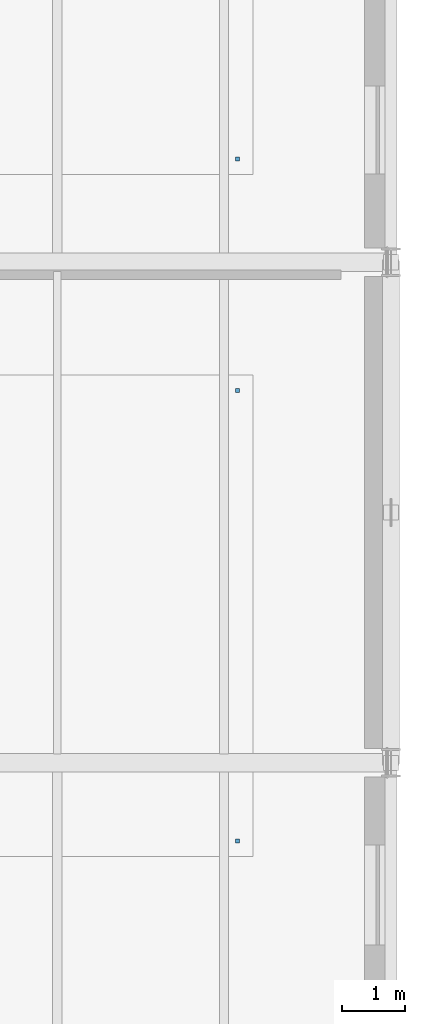
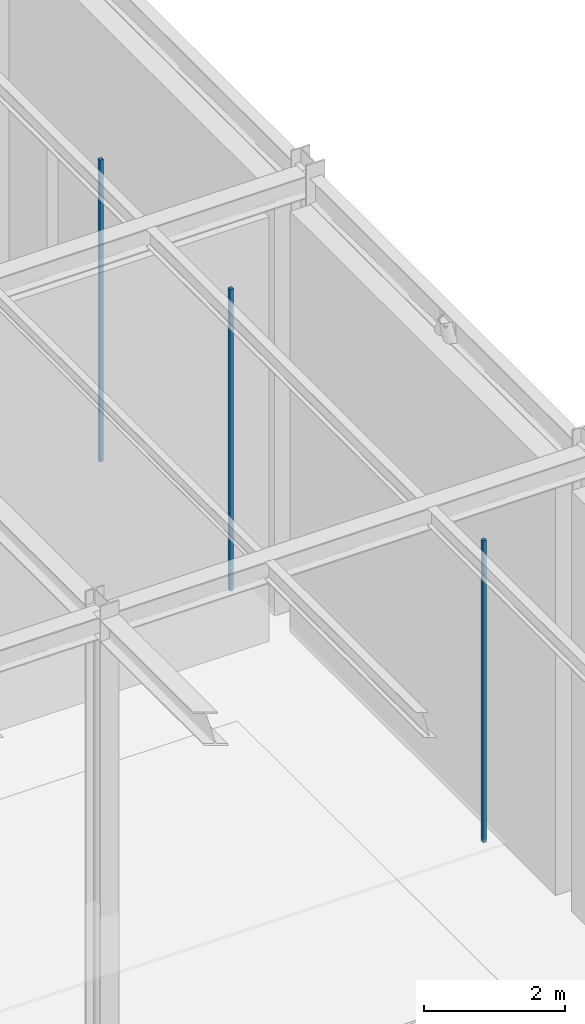
# One storey, part 111 of 138: 3 discrete accessories.
"""IFC4 building model written with IfcOpenShell, lengths in metres."""

from ifc_helpers import new_model, si_unit, direction, frame, origin, origin_2d, place, context, subcontext, project, spatial, rectangle, extrude, material, type_object, element, save


model = new_model("IFC4")

# Units and contexts
model_context = context("Model", 3, precision=1e-05, world=origin(), true_north=direction((0.0, 1.0)))
body_context = subcontext(model_context, "Body", "Model", "MODEL_VIEW")
ifc_project = project(units=[si_unit("LENGTHUNIT", "METRE"), si_unit("AREAUNIT", "SQUARE_METRE"), si_unit("VOLUMEUNIT", "CUBIC_METRE"), si_unit("PLANEANGLEUNIT", "RADIAN"), si_unit("MASSUNIT", "GRAM", prefix="KILO")], contexts=[model_context])

# Site, building, storey
site_placement = place(None, origin())
site = spatial("IfcSite", under=ifc_project, at=site_placement, CompositionType="ELEMENT")
building_placement = place(site_placement, origin())
building = spatial("IfcBuilding", under=site, at=building_placement, Name="Sundkrona Museum", CompositionType="ELEMENT")
storey_placement = place(building_placement, frame((0.0, 0.0, 9.60009765625)))
storey = spatial("IfcBuildingStorey", under=building, at=storey_placement, Name="L02", CompositionType="ELEMENT", Elevation=9.60009765625)

# Discrete accessories
ifc_material = material(Name="Stainless Steel EN 1.4404 Cleat", Category="steel")
discrete_accessory_type = type_object("IfcDiscreteAccessoryType", Name="BRK-FIN-01", PredefinedType="BRACKET", material=ifc_material)
for number, where, z_axis, x_axis, name in (
    (1, (165.550048828125, 6.75, 2.5498046875), (0.0, 0.0, 1.0), (1.0, 0.0, 0.0), "L02 Paleontology Exhibition Hall Ceiling Hanger 2"),
    (2, (165.550048828125, 13.949951171875, 2.5498046875), (0.0, 0.0, 1.0), (1.0, 0.0, 0.0), "L02 Paleontology Exhibition Hall Ceiling Hanger 3"),
    (3, (165.550048828125, 17.64990234375, 2.5498046875), (0.0, 0.0, 1.0), (1.0, 0.0, 0.0), "L02 Scandinavian Megafauna Gallery Ceiling Hanger 2"),
):
    element("IfcDiscreteAccessory", number, at=place(storey_placement, frame(where, z_axis=z_axis, x_axis=x_axis)), inside=storey, type_object=discrete_accessory_type, Name=name, PredefinedType="BRACKET", context=body_context, shape_type="SweptSolid", body=[
        extrude(rectangle(XDim=0.06005859375, YDim=0.06005859375, at=origin_2d()), origin(), (0.0, 0.0, 1.0), 5.239990234375),
    ])

save(model, "model.ifc")
